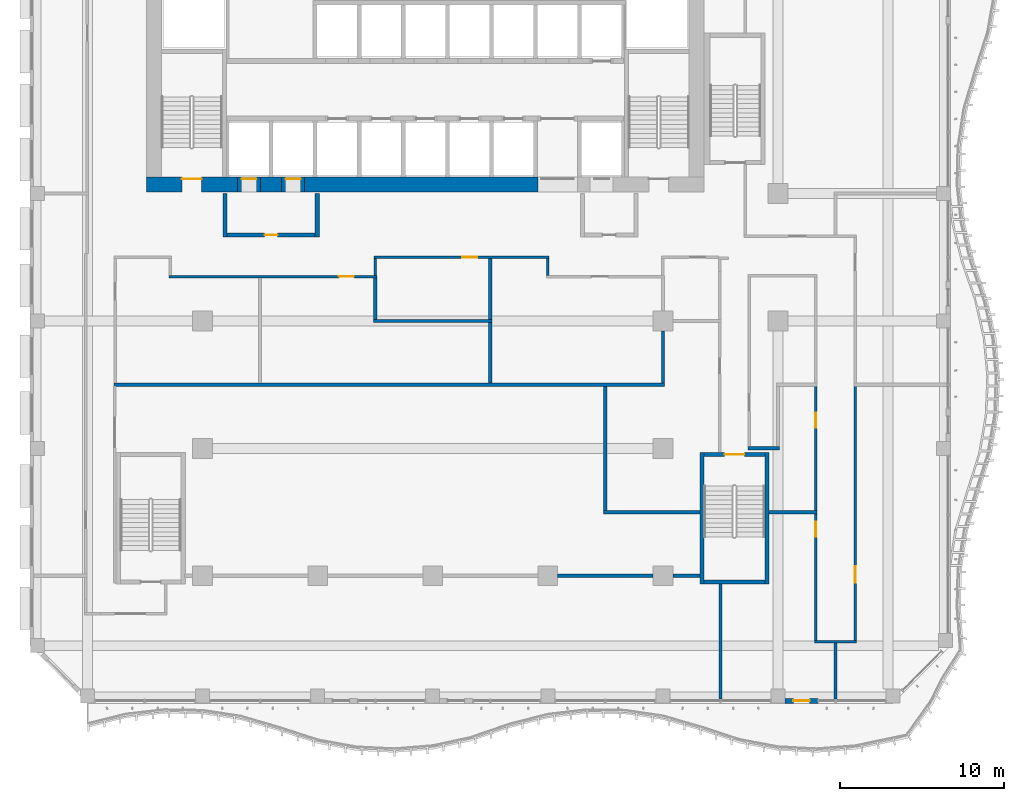
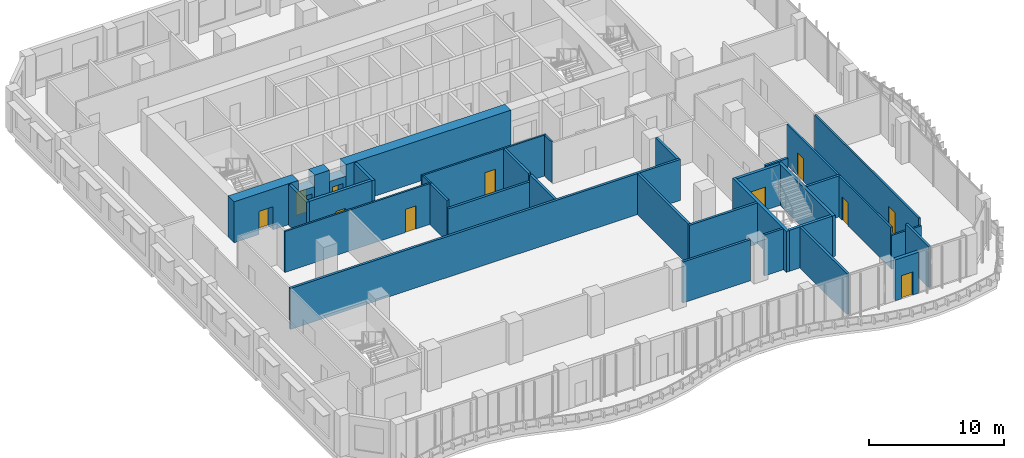
# One storey, part 11 of 25: 35 walls, 11 doors, 11 openings.
"""IFC4 building model written with IfcOpenShell, lengths in metres."""

from ifc_helpers import new_model, si_unit, direction, frame, frame_2d, origin, place, context, subcontext, project, spatial, rectangle, extrude, source, transform, mapped, material, layer, layer_set, type_object, element, fill, save


model = new_model("IFC4")

# Units and contexts
model_context = context("Model", 3, precision=1e-05, world=origin(), true_north=direction((0.0, 1.0)))
body_context = subcontext(model_context, "Body", "Model", "MODEL_VIEW")
ifc_project = project(units=[si_unit("LENGTHUNIT", "METRE"), si_unit("AREAUNIT", "SQUARE_METRE"), si_unit("VOLUMEUNIT", "CUBIC_METRE"), si_unit("PLANEANGLEUNIT", "RADIAN"), si_unit("MASSUNIT", "GRAM", prefix="KILO")], contexts=[model_context])

# Site, building, storey
site_placement = place(None, origin())
site = spatial("IfcSite", under=ifc_project, at=site_placement, CompositionType="ELEMENT")
building_placement = place(site_placement, origin())
building = spatial("IfcBuilding", under=site, at=building_placement, Name="Kilnfold Tower and Market Hall", CompositionType="ELEMENT")
storey_placement = place(building_placement, frame((0.0, 0.0, 120.60009765625)))
storey = spatial("IfcBuildingStorey", under=building, at=storey_placement, Name="L28", CompositionType="ELEMENT", Elevation=120.60009765625)

# Wall, opening, door
ifc_material_1 = material(Name="Gypsum board on steel studs", Category="steel")
ifc_layer_1 = layer(ifc_material_1, 0.14990234375)
ifc_layer_set_1 = layer_set([ifc_layer_1], Name="Gypsum board on steel studs")
wall_type_1 = type_object("IfcWallType", Name="WALL CORRIDOR 150", PredefinedType="PARTITIONING", material=ifc_layer_set_1)
wall_1_placement = place(storey_placement, frame((-14.534912109375, 2.949951171875, 0.0), z_axis=(0.0, 0.0, 1.0), x_axis=(1.0, 0.0, 0.0)))
wall_1 = element("IfcWall", 1, at=wall_1_placement, inside=storey, type_object=wall_type_1, Name="Partition LY17.3", PredefinedType="PARTITIONING", context=body_context, shape_type="SweptSolid", body=[
    extrude(rectangle(XDim=12.635009765625, YDim=0.14990234375, at=frame_2d((6.3173828125, 0.0))), origin(), (0.0, 0.0, 1.0), 3.719970703125),
])
opening_1_placement = place(wall_1_placement, frame((10.3330078125, 0.0, 0.0)))
opening_1 = element("IfcOpeningElement", 2, at=opening_1_placement, cuts=wall_1, Name="Opening D3", PredefinedType="OPENING", context=body_context, shape_type="SweptSolid", body=[
    extrude(rectangle(XDim=0.89990234375, YDim=2.10009765625, at=frame_2d((0.449951171875, 1.050048828125))), frame((0.0, 0.0849609375, 0.0), z_axis=(0.0, -1.0, 0.0), x_axis=(1.0, 0.0, 0.0)), (0.0, 0.0, 1.0), 0.169921875),
])
ifc_material_2 = material(Name="Timber veneer door leaf in steel frame", Category="steel")
door_type_1 = type_object("IfcDoorType", Name="DOOR WC 900 X2100", OperationType="NOTDEFINED", PredefinedType="DOOR", material=ifc_material_2)
door_1_placement = place(opening_1_placement, origin())
door_1 = element("IfcDoor", 3, at=door_1_placement, inside=storey, type_object=door_type_1, Name="Door D3", OperationType="SINGLE_SWING_LEFT", OverallHeight=2.10009765625, OverallWidth=0.89990234375, PredefinedType="DOOR", context=body_context, shape_type="SweptSolid", body=[
    extrude(rectangle(XDim=0.89990234375, YDim=2.10009765625, at=frame_2d((0.449951171875, 1.050048828125))), frame((0.0, 0.02490234375, 0.0), z_axis=(0.0, -1.0, 0.0), x_axis=(1.0, 0.0, 0.0)), (0.0, 0.0, 1.0), 0.050048828125),
])
fill(opening_1, door_1)

wall_2_placement = place(storey_placement, frame((-2.074951171875, 4.125, 0.0), z_axis=(0.0, 0.0, 1.0), x_axis=(1.0, 0.0, 0.0)))
wall_2 = element("IfcWall", 4, at=wall_2_placement, inside=storey, type_object=wall_type_1, Name="Partition LY17.13", PredefinedType="PARTITIONING", context=body_context, shape_type="SweptSolid", body=[
    extrude(rectangle(XDim=10.64990234375, YDim=0.14990234375, at=frame_2d((5.324951171875, 0.0))), origin(), (0.0, 0.0, 1.0), 3.719970703125),
])
opening_2_placement = place(wall_2_placement, frame((5.3759765625, 0.0, 0.0)))
opening_2 = element("IfcOpeningElement", 5, at=opening_2_placement, cuts=wall_2, Name="Opening D2", PredefinedType="OPENING", context=body_context, shape_type="SweptSolid", body=[
    extrude(rectangle(XDim=0.89990234375, YDim=2.10009765625, at=frame_2d((0.449951171875, 1.050048828125))), frame((0.0, 0.0849609375, 0.0), z_axis=(0.0, -1.0, 0.0), x_axis=(1.0, 0.0, 0.0)), (0.0, 0.0, 1.0), 0.169921875),
])
ifc_material_3 = material(Name="Timber veneer door leaf in steel frame", Category="steel")
door_type_2 = type_object("IfcDoorType", Name="DOOR ROOM 900 X2100", OperationType="NOTDEFINED", PredefinedType="DOOR", material=ifc_material_3)
door_2_placement = place(opening_2_placement, origin())
door_2 = element("IfcDoor", 6, at=door_2_placement, inside=storey, type_object=door_type_2, Name="Door D2", OperationType="SINGLE_SWING_RIGHT", OverallHeight=2.10009765625, OverallWidth=0.89990234375, PredefinedType="DOOR", context=body_context, shape_type="SweptSolid", body=[
    extrude(rectangle(XDim=0.89990234375, YDim=2.10009765625, at=frame_2d((0.449951171875, 1.050048828125))), frame((0.0, 0.02490234375, 0.0), z_axis=(0.0, -1.0, 0.0), x_axis=(1.0, 0.0, 0.0)), (0.0, 0.0, 1.0), 0.050048828125),
])
fill(opening_2, door_2)

# Walls
for number, where, z_axis, x_axis, name in (
    (7, (-2.0, 3.02490234375, 0.0), (0.0, 0.0, 1.0), (0.0, 1.0, 0.0), "Partition LY17.14"),
    (8, (8.5, 4.050048828125, 0.0), (0.0, 0.0, 1.0), (0.0, -1.0, 0.0), "Partition LY17.16"),
):
    element("IfcWall", number, at=place(storey_placement, frame(where, z_axis=z_axis, x_axis=x_axis)), inside=storey, type_object=wall_type_1, Name=name, PredefinedType="PARTITIONING", context=body_context, shape_type="SweptSolid", body=[
        extrude(rectangle(XDim=1.025146484375, YDim=0.14990234375, at=frame_2d((0.5126953125, 0.0))), origin(), (0.0, 0.0, 1.0), 3.719970703125),
    ])
wall_3_placement = place(storey_placement, frame((24.72509765625, -19.25, 0.0), z_axis=(0.0, 0.0, 1.0), x_axis=(1.0, 0.0, 0.0)))
element("IfcWall", 9, at=wall_3_placement, inside=storey, type_object=wall_type_1, Name="Partition LY17.18", PredefinedType="PARTITIONING", context=body_context, shape_type="SweptSolid", body=[
    extrude(rectangle(XDim=2.5498046875, YDim=0.14990234375, at=frame_2d((1.27490234375, 0.0))), origin(), (0.0, 0.0, 1.0), 3.06982421875),
])

# Wall, opening, door
wall_4_placement = place(storey_placement, frame((24.800048828125, -19.175048828125, 0.0), z_axis=(0.0, 0.0, 1.0), x_axis=(0.0, 1.0, 0.0)))
wall_4 = element("IfcWall", 10, at=wall_4_placement, inside=storey, type_object=wall_type_1, Name="Partition LY17.19", PredefinedType="PARTITIONING", context=body_context, shape_type="SweptSolid", body=[
    extrude(rectangle(XDim=7.7099609375, YDim=0.14990234375, at=frame_2d((3.85498046875, 0.0))), origin(), (0.0, 0.0, 1.0), 3.719970703125),
])
opening_3_placement = place(wall_4_placement, frame((6.31005859375, 0.0, 0.0)))
opening_3 = element("IfcOpeningElement", 11, at=opening_3_placement, cuts=wall_4, Name="Opening D3", PredefinedType="OPENING", context=body_context, shape_type="SweptSolid", body=[
    extrude(rectangle(XDim=0.89990234375, YDim=2.10009765625, at=frame_2d((0.449951171875, 1.050048828125))), frame((0.0, 0.0849609375, 0.0), z_axis=(0.0, -1.0, 0.0), x_axis=(1.0, 0.0, 0.0)), (0.0, 0.0, 1.0), 0.169921875),
])
door_3_placement = place(opening_3_placement, origin())
door_3 = element("IfcDoor", 12, at=door_3_placement, inside=storey, type_object=door_type_1, Name="Door D3", OperationType="SINGLE_SWING_RIGHT", OverallHeight=2.10009765625, OverallWidth=0.89990234375, PredefinedType="DOOR", context=body_context, shape_type="SweptSolid", body=[
    extrude(rectangle(XDim=0.89990234375, YDim=2.10009765625, at=frame_2d((0.449951171875, 1.050048828125))), frame((0.0, 0.02490234375, 0.0), z_axis=(0.0, -1.0, 0.0), x_axis=(1.0, 0.0, 0.0)), (0.0, 0.0, 1.0), 0.050048828125),
])
fill(opening_3, door_3)

wall_5_placement = place(storey_placement, frame((27.199951171875, -19.175048828125, 0.0), z_axis=(0.0, 0.0, 1.0), x_axis=(0.0, 1.0, 0.0)))
wall_5 = element("IfcWall", 13, at=wall_5_placement, inside=storey, type_object=wall_type_1, Name="Partition LY17.20", PredefinedType="PARTITIONING", context=body_context, shape_type="SweptSolid", body=[
    extrude(rectangle(XDim=15.4599609375, YDim=0.14990234375, at=frame_2d((7.72998046875, 0.0))), origin(), (0.0, 0.0, 1.0), 3.719970703125),
])
opening_4_placement = place(wall_5_placement, frame((3.513916015625, 0.0, 0.0)))
opening_4 = element("IfcOpeningElement", 14, at=opening_4_placement, cuts=wall_5, Name="Opening D1", PredefinedType="OPENING", context=body_context, shape_type="SweptSolid", body=[
    extrude(rectangle(XDim=1.0, YDim=2.10009765625, at=frame_2d((0.5, 1.050048828125))), frame((0.0, 0.0849609375, 0.0), z_axis=(0.0, -1.0, 0.0), x_axis=(1.0, 0.0, 0.0)), (0.0, 0.0, 1.0), 0.169921875),
])
ifc_material_4 = material(Name="Timber veneer door leaf in steel frame", Category="steel")
door_type_3 = type_object("IfcDoorType", Name="DOOR ENTRY 1000 X2100", OperationType="NOTDEFINED", PredefinedType="DOOR", material=ifc_material_4)
door_4_placement = place(opening_4_placement, origin())
door_4 = element("IfcDoor", 15, at=door_4_placement, inside=storey, type_object=door_type_3, Name="Door D1", OperationType="SINGLE_SWING_RIGHT", OverallHeight=2.10009765625, OverallWidth=1.0, PredefinedType="DOOR", context=body_context, shape_type="SweptSolid", body=[
    extrude(rectangle(XDim=1.0, YDim=2.10009765625, at=frame_2d((0.5, 1.050048828125))), frame((0.0, 0.02490234375, 0.0), z_axis=(0.0, -1.0, 0.0), x_axis=(1.0, 0.0, 0.0)), (0.0, 0.0, 1.0), 0.050048828125),
])
fill(opening_4, door_4)

wall_6_placement = place(storey_placement, frame((24.800048828125, -11.284912109375, 0.0), z_axis=(0.0, 0.0, 1.0), x_axis=(0.0, 1.0, 0.0)))
wall_6 = element("IfcWall", 16, at=wall_6_placement, inside=storey, type_object=wall_type_1, Name="Partition LY17.21", PredefinedType="PARTITIONING", context=body_context, shape_type="SweptSolid", body=[
    extrude(rectangle(XDim=7.56982421875, YDim=0.14990234375, at=frame_2d((3.784912109375, 0.0))), origin(), (0.0, 0.0, 1.0), 3.719970703125),
])
opening_5_placement = place(wall_6_placement, frame((5.053955078125, 0.0, 0.0)))
opening_5 = element("IfcOpeningElement", 17, at=opening_5_placement, cuts=wall_6, Name="Opening D2", PredefinedType="OPENING", context=body_context, shape_type="SweptSolid", body=[
    extrude(rectangle(XDim=0.89990234375, YDim=2.10009765625, at=frame_2d((0.449951171875, 1.050048828125))), frame((0.0, 0.0849609375, 0.0), z_axis=(0.0, -1.0, 0.0), x_axis=(1.0, 0.0, 0.0)), (0.0, 0.0, 1.0), 0.169921875),
])
door_5_placement = place(opening_5_placement, origin())
door_5 = element("IfcDoor", 18, at=door_5_placement, inside=storey, type_object=door_type_2, Name="Door D2", OperationType="SINGLE_SWING_LEFT", OverallHeight=2.10009765625, OverallWidth=0.89990234375, PredefinedType="DOOR", context=body_context, shape_type="SweptSolid", body=[
    extrude(rectangle(XDim=0.89990234375, YDim=2.10009765625, at=frame_2d((0.449951171875, 1.050048828125))), frame((0.0, 0.02490234375, 0.0), z_axis=(0.0, -1.0, 0.0), x_axis=(1.0, 0.0, 0.0)), (0.0, 0.0, 1.0), 0.050048828125),
])
fill(opening_5, door_5)

# Walls
ifc_material_5 = material(Name="Gypsum board on steel studs", Category="steel")
ifc_layer_2 = layer(ifc_material_5, 0.199951171875)
ifc_layer_set_2 = layer_set([ifc_layer_2], Name="Gypsum board on steel studs")
wall_type_2 = type_object("IfcWallType", Name="WALL PARTY 200", PredefinedType="PARTITIONING", material=ifc_layer_set_2)
wall_7_placement = place(storey_placement, frame((-17.8740234375, -3.625, 0.0), z_axis=(0.0, 0.0, 1.0), x_axis=(1.0, 0.0, 0.0)))
element("IfcWall", 19, at=wall_7_placement, inside=storey, type_object=wall_type_2, Name="Partition LY17.40", PredefinedType="PARTITIONING", context=body_context, shape_type="SweptSolid", body=[
    extrude(rectangle(XDim=33.47412109375, YDim=0.199951171875, at=frame_2d((16.737060546875, 0.0))), origin(), (0.0, 0.0, 1.0), 3.719970703125),
])
wall_8_placement = place(storey_placement, frame((16.10009765625, -15.25, 0.0), z_axis=(0.0, 0.0, 1.0), x_axis=(1.0, 0.0, 0.0)))
element("IfcWall", 20, at=wall_8_placement, inside=storey, type_object=wall_type_2, Name="Partition LY17.42", PredefinedType="PARTITIONING", context=body_context, shape_type="SweptSolid", body=[
    extrude(rectangle(XDim=1.64990234375, YDim=0.199951171875, at=frame_2d((0.824951171875, 0.0))), origin(), (0.0, 0.0, 1.0), 3.719970703125),
])
wall_9_placement = place(storey_placement, frame((9.10009765625, -15.25, 0.0), z_axis=(0.0, 0.0, 1.0), x_axis=(1.0, 0.0, 0.0)))
element("IfcWall", 21, at=wall_9_placement, inside=storey, type_object=wall_type_2, Name="Partition LY17.43", PredefinedType="PARTITIONING", context=body_context, shape_type="SweptSolid", body=[
    extrude(rectangle(XDim=5.7998046875, YDim=0.199951171875, at=frame_2d((2.89990234375, 0.0))), origin(), (0.0, 0.0, 1.0), 3.719970703125),
])
wall_10_placement = place(storey_placement, frame((12.0, -11.27490234375, 0.0), z_axis=(0.0, 0.0, 1.0), x_axis=(0.0, 1.0, 0.0)))
element("IfcWall", 22, at=wall_10_placement, inside=storey, type_object=wall_type_2, Name="Partition LY17.48", PredefinedType="PARTITIONING", context=body_context, shape_type="SweptSolid", body=[
    extrude(rectangle(XDim=7.5498046875, YDim=0.199951171875, at=frame_2d((3.77490234375, 0.0))), origin(), (0.0, 0.0, 1.0), 3.719970703125),
])
wall_11_placement = place(storey_placement, frame((11.89990234375, -11.375, 0.0), z_axis=(0.0, 0.0, 1.0), x_axis=(1.0, 0.0, 0.0)))
element("IfcWall", 23, at=wall_11_placement, inside=storey, type_object=wall_type_2, Name="Partition LY17.49", PredefinedType="PARTITIONING", context=body_context, shape_type="SweptSolid", body=[
    extrude(rectangle(XDim=5.85009765625, YDim=0.199951171875, at=frame_2d((2.925048828125, 0.0))), origin(), (0.0, 0.0, 1.0), 3.719970703125),
])
wall_12_placement = place(storey_placement, frame((19.0, -22.75, 0.0), z_axis=(0.0, 0.0, 1.0), x_axis=(0.0, 1.0, 0.0)))
element("IfcWall", 24, at=wall_12_placement, inside=storey, type_object=wall_type_2, Name="Partition LY17.50", PredefinedType="PARTITIONING", context=body_context, shape_type="SweptSolid", body=[
    extrude(rectangle(XDim=7.0, YDim=0.199951171875, at=frame_2d((3.5, 0.0))), origin(), (0.0, 0.0, 1.0), 3.719970703125),
])
wall_13_placement = place(storey_placement, frame((-2.0, 0.35009765625, 0.0), z_axis=(0.0, 0.0, 1.0), x_axis=(0.0, 1.0, 0.0)))
element("IfcWall", 25, at=wall_13_placement, inside=storey, type_object=wall_type_2, Name="Partition LY17.51", PredefinedType="PARTITIONING", context=body_context, shape_type="SweptSolid", body=[
    extrude(rectangle(XDim=2.52392578125, YDim=0.199951171875, at=frame_2d((1.261962890625, 0.0))), origin(), (0.0, 0.0, 1.0), 3.719970703125),
])
wall_14_placement = place(storey_placement, frame((-2.10009765625, 0.25, 0.0), z_axis=(0.0, 0.0, 1.0), x_axis=(1.0, 0.0, 0.0)))
element("IfcWall", 26, at=wall_14_placement, inside=storey, type_object=wall_type_2, Name="Partition LY17.52", PredefinedType="PARTITIONING", context=body_context, shape_type="SweptSolid", body=[
    extrude(rectangle(XDim=7.2001953125, YDim=0.199951171875, at=frame_2d((3.60009765625, 0.0))), origin(), (0.0, 0.0, 1.0), 3.06982421875),
])
wall_15_placement = place(storey_placement, frame((5.0, -3.52490234375, 0.0), z_axis=(0.0, 0.0, 1.0), x_axis=(0.0, 1.0, 0.0)))
element("IfcWall", 27, at=wall_15_placement, inside=storey, type_object=wall_type_2, Name="Partition LY17.53", PredefinedType="PARTITIONING", context=body_context, shape_type="SweptSolid", body=[
    extrude(rectangle(XDim=3.6748046875, YDim=0.199951171875, at=frame_2d((1.83740234375, 0.0))), origin(), (0.0, 0.0, 1.0), 3.719970703125),
])
wall_16_placement = place(storey_placement, frame((5.0, 0.35009765625, 0.0), z_axis=(0.0, 0.0, 1.0), x_axis=(0.0, 1.0, 0.0)))
element("IfcWall", 28, at=wall_16_placement, inside=storey, type_object=wall_type_2, Name="Partition LY17.54", PredefinedType="PARTITIONING", context=body_context, shape_type="SweptSolid", body=[
    extrude(rectangle(XDim=3.698974609375, YDim=0.199951171875, at=frame_2d((1.849609375, 0.0))), origin(), (0.0, 0.0, 1.0), 3.719970703125),
])
wall_17_placement = place(storey_placement, frame((15.5, -3.52490234375, 0.0), z_axis=(0.0, 0.0, 1.0), x_axis=(0.0, 1.0, 0.0)))
element("IfcWall", 29, at=wall_17_placement, inside=storey, type_object=wall_type_2, Name="Partition LY17.55", PredefinedType="PARTITIONING", context=body_context, shape_type="SweptSolid", body=[
    extrude(rectangle(XDim=3.1748046875, YDim=0.199951171875, at=frame_2d((1.58740234375, 0.0))), origin(), (0.0, 0.0, 1.0), 3.719970703125),
])
wall_18_placement = place(storey_placement, frame((26.0, -22.75, 0.0), z_axis=(0.0, 0.0, 1.0), x_axis=(0.0, 1.0, 0.0)))
element("IfcWall", 30, at=wall_18_placement, inside=storey, type_object=wall_type_2, Name="Partition LY17.58", PredefinedType="PARTITIONING", context=body_context, shape_type="SweptSolid", body=[
    extrude(rectangle(XDim=3.424072265625, YDim=0.199951171875, at=frame_2d((1.7119140625, 0.0))), origin(), (0.0, 0.0, 1.0), 3.719970703125),
])
wall_19_placement = place(storey_placement, frame((21.949951171875, -11.375, 0.0), z_axis=(0.0, 0.0, 1.0), x_axis=(1.0, 0.0, 0.0)))
element("IfcWall", 31, at=wall_19_placement, inside=storey, type_object=wall_type_2, Name="Partition LY17.59", PredefinedType="PARTITIONING", context=body_context, shape_type="SweptSolid", body=[
    extrude(rectangle(XDim=2.924072265625, YDim=0.199951171875, at=frame_2d((1.4619140625, 0.0))), origin(), (0.0, 0.0, 1.0), 3.719970703125),
])
wall_20_placement = place(storey_placement, frame((22.60009765625, -7.5, 0.0), z_axis=(0.0, 0.0, 1.0), x_axis=(-1.0, 0.0, 0.0)))
element("IfcWall", 32, at=wall_20_placement, inside=storey, type_object=wall_type_2, Name="Partition LY17.61", PredefinedType="PARTITIONING", context=body_context, shape_type="SweptSolid", body=[
    extrude(rectangle(XDim=1.924072265625, YDim=0.199951171875, at=frame_2d((0.9619140625, 0.0))), origin(), (0.0, 0.0, 1.0), 3.719970703125),
])
ifc_material_6 = material(Name="Concrete C70", Category="concrete")
ifc_layer_3 = layer(ifc_material_6, 0.25)
ifc_layer_set_3 = layer_set([ifc_layer_3], Name="Concrete C70")
wall_type_3 = type_object("IfcWallType", Name="CORE WALL 250 C70", PredefinedType="SHEAR", material=ifc_layer_set_3)
shared_shape_1 = source(origin(), body_context, "Body", "SweptSolid", [
    extrude(rectangle(XDim=3.699951171875, YDim=0.25, at=frame_2d((1.85009765625, 0.0))), origin(), (0.0, 0.0, 1.0), 3.719970703125),
])
wall_21_placement = place(storey_placement, frame((18.0, -15.625, 0.0), z_axis=(0.0, 0.0, 1.0), x_axis=(1.0, 0.0, 0.0)))
element("IfcWall", 33, at=wall_21_placement, inside=storey, type_object=wall_type_3, Name="Stair enclosure ST4", PredefinedType="SHEAR", context=body_context, shape_type="MappedRepresentation", body=[
    mapped(shared_shape_1, transform((0.0, 0.0, 0.0))),
])

# Wall, opening, door
wall_22_placement = place(storey_placement, frame((18.0, -7.875, 0.0), z_axis=(0.0, 0.0, 1.0), x_axis=(1.0, 0.0, 0.0)))
wall_22 = element("IfcWall", 34, at=wall_22_placement, inside=storey, type_object=wall_type_3, Name="Stair enclosure ST4", PredefinedType="SHEAR", context=body_context, shape_type="MappedRepresentation", body=[
    mapped(shared_shape_1, transform((0.0, 0.0, 0.0))),
])
opening_6_placement = place(wall_22_placement, frame((1.25, 0.0, 0.0)))
opening_6 = element("IfcOpeningElement", 35, at=opening_6_placement, cuts=wall_22, Name="Opening SD1", PredefinedType="OPENING", context=body_context, shape_type="SweptSolid", body=[
    extrude(rectangle(XDim=1.199951171875, YDim=2.10009765625, at=frame_2d((0.60009765625, 1.050048828125))), frame((0.0, 0.135009765625, 0.0), z_axis=(0.0, -1.0, 0.0), x_axis=(1.0, 0.0, 0.0)), (0.0, 0.0, 1.0), 0.27001953125),
])
ifc_material_7 = material(Name="Steel door set with fire-resisting leaf", Category="steel")
door_type_4 = type_object("IfcDoorType", Name="STAIR FLOOR DOOR 1200X2100", OperationType="NOTDEFINED", PredefinedType="DOOR", material=ifc_material_7)
door_6_placement = place(opening_6_placement, origin())
door_6 = element("IfcDoor", 36, at=door_6_placement, inside=storey, type_object=door_type_4, Name="Exit stair ST4 door", OperationType="DOUBLE_DOOR_SINGLE_SWING", OverallHeight=2.10009765625, OverallWidth=1.199951171875, PredefinedType="DOOR", context=body_context, shape_type="SweptSolid", body=[
    extrude(rectangle(XDim=1.199951171875, YDim=2.10009765625, at=frame_2d((0.60009765625, 1.050048828125))), frame((0.0, 0.02490234375, 0.0), z_axis=(0.0, -1.0, 0.0), x_axis=(1.0, 0.0, 0.0)), (0.0, 0.0, 1.0), 0.050048828125),
])
fill(opening_6, door_6)

# Walls
shared_shape_2 = source(origin(), body_context, "Body", "SweptSolid", [
    extrude(rectangle(XDim=8.0, YDim=0.25, at=frame_2d((4.0, 0.0))), origin(), (0.0, 0.0, 1.0), 3.719970703125),
])
for number, where, z_axis, x_axis, name in (
    (37, (17.875, -15.75, 0.0), (0.0, 0.0, 1.0), (0.0, 1.0, 0.0), "Stair enclosure ST4"),
    (38, (21.824951171875, -15.75, 0.0), (0.0, 0.0, 1.0), (0.0, 1.0, 0.0), "Stair enclosure ST4"),
):
    element("IfcWall", number, at=place(storey_placement, frame(where, z_axis=z_axis, x_axis=x_axis)), inside=storey, type_object=wall_type_3, Name=name, PredefinedType="SHEAR", context=body_context, shape_type="MappedRepresentation", body=[
        mapped(shared_shape_2, transform((0.0, 0.0, 0.0))),
    ])

# Wall, opening, door
ifc_material_8 = material(Name="Concrete C70", Category="concrete")
ifc_layer_4 = layer(ifc_material_8, 0.89990234375)
ifc_layer_set_4 = layer_set([ifc_layer_4], Name="Concrete C70")
wall_type_4 = type_object("IfcWallType", Name="CORE WALL 900 C70", PredefinedType="SHEAR", material=ifc_layer_set_4)
shared_shape_3 = source(origin(), body_context, "Body", "SweptSolid", [
    extrude(rectangle(XDim=5.52978515625, YDim=0.89990234375, at=frame_2d((2.764892578125, 0.0))), origin(), (0.0, 0.0, 1.0), 3.719970703125),
])
wall_23_placement = place(storey_placement, frame((-15.89990234375, 8.550048828125, 0.0), z_axis=(0.0, 0.0, 1.0), x_axis=(1.0, 0.0, 0.0)))
wall_23 = element("IfcWall", 39, at=wall_23_placement, inside=storey, type_object=wall_type_4, Name="Core outer wall south", PredefinedType="SHEAR", context=body_context, shape_type="MappedRepresentation", body=[
    mapped(shared_shape_3, transform((0.0, 0.0, 0.0))),
])
opening_7_placement = place(wall_23_placement, frame((2.14990234375, 0.0, 0.0)))
opening_7 = element("IfcOpeningElement", 40, at=opening_7_placement, cuts=wall_23, Name="Opening SD1", PredefinedType="OPENING", context=body_context, shape_type="SweptSolid", body=[
    extrude(rectangle(XDim=1.199951171875, YDim=2.10009765625, at=frame_2d((0.60009765625, 1.050048828125))), frame((0.0, 0.4599609375, 0.0), z_axis=(0.0, -1.0, 0.0), x_axis=(1.0, 0.0, 0.0)), (0.0, 0.0, 1.0), 0.919921875),
])
door_7_placement = place(opening_7_placement, origin())
door_7 = element("IfcDoor", 41, at=door_7_placement, inside=storey, type_object=door_type_4, Name="Exit stair ST1 door", OperationType="DOUBLE_DOOR_SINGLE_SWING", OverallHeight=2.10009765625, OverallWidth=1.199951171875, PredefinedType="DOOR", context=body_context, shape_type="SweptSolid", body=[
    extrude(rectangle(XDim=1.199951171875, YDim=2.10009765625, at=frame_2d((0.60009765625, 1.050048828125))), frame((0.0, 0.35498046875, 0.0), z_axis=(0.0, -1.0, 0.0), x_axis=(1.0, 0.0, 0.0)), (0.0, 0.0, 1.0), 0.050048828125),
])
fill(opening_7, door_7)

# Walls
shared_shape_4 = source(origin(), body_context, "Body", "SweptSolid", [
    extrude(rectangle(XDim=1.280029296875, YDim=0.89990234375, at=frame_2d((0.64013671875, 0.0))), origin(), (0.0, 0.0, 1.0), 3.719970703125),
])
wall_24_placement = place(storey_placement, frame((-8.969970703125, 8.550048828125, 0.0), z_axis=(0.0, 0.0, 1.0), x_axis=(1.0, 0.0, 0.0)))
element("IfcWall", 42, at=wall_24_placement, inside=storey, type_object=wall_type_4, Name="Core outer wall south", PredefinedType="SHEAR", context=body_context, shape_type="MappedRepresentation", body=[
    mapped(shared_shape_4, transform((0.0, 0.0, 0.0))),
])
shared_shape_5 = source(origin(), body_context, "Body", "SweptSolid", [
    extrude(rectangle(XDim=14.179931640625, YDim=0.89990234375, at=frame_2d((7.08984375, 0.0))), origin(), (0.0, 0.0, 1.0), 3.719970703125),
])
wall_25_placement = place(storey_placement, frame((-6.2900390625, 8.550048828125, 0.0), z_axis=(0.0, 0.0, 1.0), x_axis=(1.0, 0.0, 0.0)))
element("IfcWall", 43, at=wall_25_placement, inside=storey, type_object=wall_type_4, Name="Core outer wall south", PredefinedType="SHEAR", context=body_context, shape_type="MappedRepresentation", body=[
    mapped(shared_shape_5, transform((0.0, 0.0, 0.0))),
])

# Wall, opening, door
ifc_material_9 = material(Name="Precast concrete C50/60", Category="concrete")
ifc_layer_5 = layer(ifc_material_9, 0.300048828125)
ifc_layer_set_5 = layer_set([ifc_layer_5], Name="Precast concrete C50/60")
wall_type_5 = type_object("IfcWallType", Name="PRECAST WALL 300", PredefinedType="SOLIDWALL", material=ifc_layer_set_5)
shared_shape_6 = source(origin(), body_context, "Body", "SweptSolid", [
    extrude(rectangle(XDim=2.0, YDim=0.300048828125, at=frame_2d((1.0, 0.0))), origin(), (0.0, 0.0, 1.0), 3.719970703125),
])
wall_26_placement = place(storey_placement, frame((22.925048828125, -22.85009765625, 0.0), z_axis=(0.0, 0.0, 1.0), x_axis=(1.0, 0.0, 0.0)))
wall_26 = element("IfcWall", 44, at=wall_26_placement, inside=storey, type_object=wall_type_5, Name="External wall L28 S", PredefinedType="SOLIDWALL", context=body_context, shape_type="MappedRepresentation", body=[
    mapped(shared_shape_6, transform((0.0, 0.0, 0.0))),
])
opening_8_placement = place(wall_26_placement, frame((0.5, 0.0, 0.0)))
opening_8 = element("IfcOpeningElement", 45, at=opening_8_placement, cuts=wall_26, Name="Opening BD1", PredefinedType="OPENING", context=body_context, shape_type="SweptSolid", body=[
    extrude(rectangle(XDim=1.0, YDim=2.10009765625, at=frame_2d((0.5, 1.050048828125))), frame((0.0, 0.16015625, 0.0), z_axis=(0.0, -1.0, 0.0), x_axis=(1.0, 0.0, 0.0)), (0.0, 0.0, 1.0), 0.320068359375),
])
ifc_material_10 = material(Name="Aluminium frame and double glazing", Category="aluminium")
door_type_5 = type_object("IfcDoorType", Name="BALCONY DOOR 1000X2100", OperationType="NOTDEFINED", PredefinedType="DOOR", material=ifc_material_10)
door_8_placement = place(opening_8_placement, origin())
door_8 = element("IfcDoor", 46, at=door_8_placement, inside=storey, type_object=door_type_5, Name="Balcony door BD1 L28 S-1", OperationType="SINGLE_SWING_LEFT", OverallHeight=2.10009765625, OverallWidth=1.0, PredefinedType="DOOR", context=body_context, shape_type="SweptSolid", body=[
    extrude(rectangle(XDim=1.0, YDim=2.10009765625, at=frame_2d((0.5, 1.050048828125))), frame((0.0, 0.02490234375, 0.0), z_axis=(0.0, -1.0, 0.0), x_axis=(1.0, 0.0, 0.0)), (0.0, 0.0, 1.0), 0.050048828125),
])
fill(opening_8, door_8)

# Walls
ifc_material_11 = material(Name="Gypsum shaft wall system")
ifc_layer_6 = layer(ifc_material_11, 0.25)
ifc_layer_set_6 = layer_set([ifc_layer_6], Name="Gypsum shaft wall system")
wall_type_6 = type_object("IfcWallType", Name="LOBBY WALL 250", PredefinedType="PARTITIONING", material=ifc_layer_set_6)
shared_shape_7 = source(origin(), body_context, "Body", "SweptSolid", [
    extrude(rectangle(XDim=2.64990234375, YDim=0.25, at=frame_2d((1.324951171875, 0.0))), origin(), (0.0, 0.0, 1.0), 3.719970703125),
])
for number, where, z_axis, x_axis, name in (
    (47, (-11.135009765625, 5.35009765625, 0.0), (0.0, 0.0, 1.0), (0.0, 1.0, 0.0), "Firefighting lobby wall"),
    (48, (-5.52490234375, 5.35009765625, 0.0), (0.0, 0.0, 1.0), (0.0, 1.0, 0.0), "Firefighting lobby wall"),
):
    element("IfcWall", number, at=place(storey_placement, frame(where, z_axis=z_axis, x_axis=x_axis)), inside=storey, type_object=wall_type_6, Name=name, PredefinedType="PARTITIONING", context=body_context, shape_type="MappedRepresentation", body=[
        mapped(shared_shape_7, transform((0.0, 0.0, 0.0))),
    ])

# Wall, opening, door
shared_shape_8 = source(origin(), body_context, "Body", "SweptSolid", [
    extrude(rectangle(XDim=5.360107421875, YDim=0.25, at=frame_2d((2.68017578125, 0.0))), origin(), (0.0, 0.0, 1.0), 3.719970703125),
])
wall_27_placement = place(storey_placement, frame((-11.010009765625, 5.47509765625, 0.0), z_axis=(0.0, 0.0, 1.0), x_axis=(1.0, 0.0, 0.0)))
wall_27 = element("IfcWall", 49, at=wall_27_placement, inside=storey, type_object=wall_type_6, Name="Firefighting lobby wall", PredefinedType="PARTITIONING", context=body_context, shape_type="MappedRepresentation", body=[
    mapped(shared_shape_8, transform((0.0, 0.0, 0.0))),
])
opening_9_placement = place(wall_27_placement, frame((2.280029296875, 0.0, 0.0)))
opening_9 = element("IfcOpeningElement", 50, at=opening_9_placement, cuts=wall_27, Name="Opening VD1", PredefinedType="OPENING", context=body_context, shape_type="SweptSolid", body=[
    extrude(rectangle(XDim=0.800048828125, YDim=2.0, at=frame_2d((0.39990234375, 1.0))), frame((0.0, 0.135009765625, 0.0), z_axis=(0.0, -1.0, 0.0), x_axis=(1.0, 0.0, 0.0)), (0.0, 0.0, 1.0), 0.27001953125),
])
ifc_material_12 = material(Name="Steel door set with fire-resisting leaf", Category="steel")
door_type_6 = type_object("IfcDoorType", Name="FIREFIGHTING LOBBY DOOR 800X2000", OperationType="NOTDEFINED", PredefinedType="DOOR", material=ifc_material_12)
door_9_placement = place(opening_9_placement, origin())
door_9 = element("IfcDoor", 51, at=door_9_placement, inside=storey, type_object=door_type_6, Name="Firefighting lobby door", OperationType="SINGLE_SWING_LEFT", OverallHeight=2.0, OverallWidth=0.800048828125, PredefinedType="DOOR", context=body_context, shape_type="SweptSolid", body=[
    extrude(rectangle(XDim=0.800048828125, YDim=2.0, at=frame_2d((0.39990234375, 1.0))), frame((0.0, 0.02490234375, 0.0), z_axis=(0.0, -1.0, 0.0), x_axis=(1.0, 0.0, 0.0)), (0.0, 0.0, 1.0), 0.050048828125),
])
fill(opening_9, door_9)

ifc_material_13 = material(Name="Gypsum shaft wall system")
ifc_layer_7 = layer(ifc_material_13, 0.89990234375)
ifc_layer_set_7 = layer_set([ifc_layer_7], Name="Gypsum shaft wall system")
wall_type_7 = type_object("IfcWallType", Name="LOBBY WALL 900", PredefinedType="PARTITIONING", material=ifc_layer_set_7)
shared_shape_9 = source(origin(), body_context, "Body", "SweptSolid", [
    extrude(rectangle(XDim=1.400146484375, YDim=0.89990234375, at=frame_2d((0.7001953125, 0.0))), origin(), (0.0, 0.0, 1.0), 2.699951171875),
])
wall_28_placement = place(storey_placement, frame((-10.3701171875, 8.550048828125, 0.0), z_axis=(0.0, 0.0, 1.0), x_axis=(1.0, 0.0, 0.0)))
wall_28 = element("IfcWall", 52, at=wall_28_placement, inside=storey, type_object=wall_type_7, Name="Core wall infill", PredefinedType="PARTITIONING", context=body_context, shape_type="MappedRepresentation", body=[
    mapped(shared_shape_9, transform((0.0, 0.0, 0.0))),
])
opening_10_placement = place(wall_28_placement, frame((0.25, 0.0, 0.0)))
opening_10 = element("IfcOpeningElement", 53, at=opening_10_placement, cuts=wall_28, Name="Opening LD1", PredefinedType="OPENING", context=body_context, shape_type="SweptSolid", body=[
    extrude(rectangle(XDim=0.89990234375, YDim=2.10009765625, at=frame_2d((0.449951171875, 1.050048828125))), frame((0.0, 0.4599609375, 0.0), z_axis=(0.0, -1.0, 0.0), x_axis=(1.0, 0.0, 0.0)), (0.0, 0.0, 1.0), 0.919921875),
])
ifc_material_14 = material(Name="Steel door set with fire-resisting leaf", Category="steel")
door_type_7 = type_object("IfcDoorType", Name="FIREFIGHTING LANDING DOOR 900X2100", OperationType="NOTDEFINED", PredefinedType="DOOR", material=ifc_material_14)
door_10_placement = place(opening_10_placement, origin())
door_10 = element("IfcDoor", 54, at=door_10_placement, inside=storey, type_object=door_type_7, Name="Landing door FF1", OperationType="SLIDING_TO_LEFT", OverallHeight=2.10009765625, OverallWidth=0.89990234375, PredefinedType="DOOR", context=body_context, shape_type="SweptSolid", body=[
    extrude(rectangle(XDim=0.89990234375, YDim=2.10009765625, at=frame_2d((0.449951171875, 1.050048828125))), frame((0.0, 0.35498046875, 0.0), z_axis=(0.0, -1.0, 0.0), x_axis=(1.0, 0.0, 0.0)), (0.0, 0.0, 1.0), 0.050048828125),
])
fill(opening_10, door_10)

shared_shape_10 = source(origin(), body_context, "Body", "SweptSolid", [
    extrude(rectangle(XDim=1.39990234375, YDim=0.89990234375, at=frame_2d((0.699951171875, 0.0))), origin(), (0.0, 0.0, 1.0), 2.699951171875),
])
wall_29_placement = place(storey_placement, frame((-7.68994140625, 8.550048828125, 0.0), z_axis=(0.0, 0.0, 1.0), x_axis=(1.0, 0.0, 0.0)))
wall_29 = element("IfcWall", 55, at=wall_29_placement, inside=storey, type_object=wall_type_7, Name="Core wall infill", PredefinedType="PARTITIONING", context=body_context, shape_type="MappedRepresentation", body=[
    mapped(shared_shape_10, transform((0.0, 0.0, 0.0))),
])
opening_11_placement = place(wall_29_placement, frame((0.25, 0.0, 0.0)))
opening_11 = element("IfcOpeningElement", 56, at=opening_11_placement, cuts=wall_29, Name="Opening LD1", PredefinedType="OPENING", context=body_context, shape_type="SweptSolid", body=[
    extrude(rectangle(XDim=0.89990234375, YDim=2.10009765625, at=frame_2d((0.449951171875, 1.050048828125))), frame((0.0, 0.4599609375, 0.0), z_axis=(0.0, -1.0, 0.0), x_axis=(1.0, 0.0, 0.0)), (0.0, 0.0, 1.0), 0.919921875),
])
door_11_placement = place(opening_11_placement, origin())
door_11 = element("IfcDoor", 57, at=door_11_placement, inside=storey, type_object=door_type_7, Name="Landing door FF2", OperationType="SLIDING_TO_RIGHT", OverallHeight=2.10009765625, OverallWidth=0.89990234375, PredefinedType="DOOR", context=body_context, shape_type="SweptSolid", body=[
    extrude(rectangle(XDim=0.89990234375, YDim=2.10009765625, at=frame_2d((0.449951171875, 1.050048828125))), frame((0.0, 0.35498046875, 0.0), z_axis=(0.0, -1.0, 0.0), x_axis=(1.0, 0.0, 0.0)), (0.0, 0.0, 1.0), 0.050048828125),
])
fill(opening_11, door_11)

save(model, "model.ifc")
